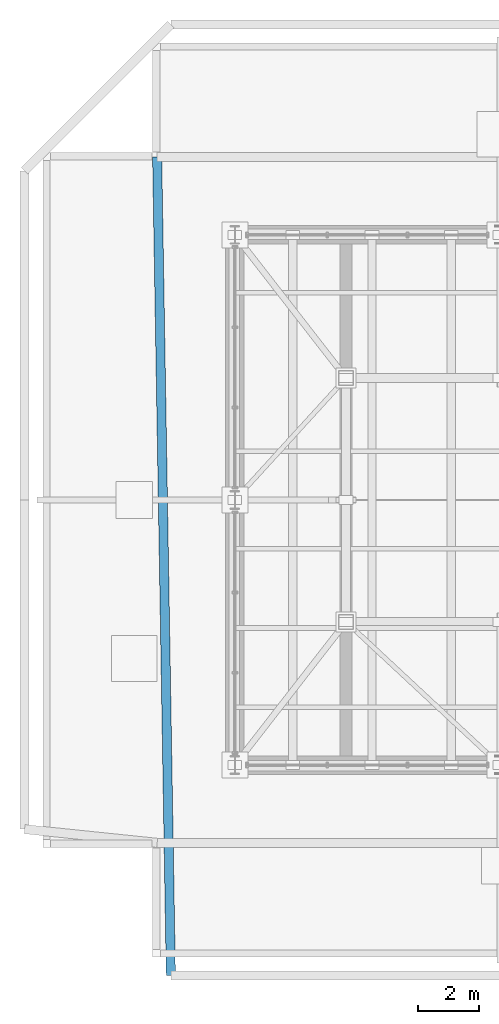
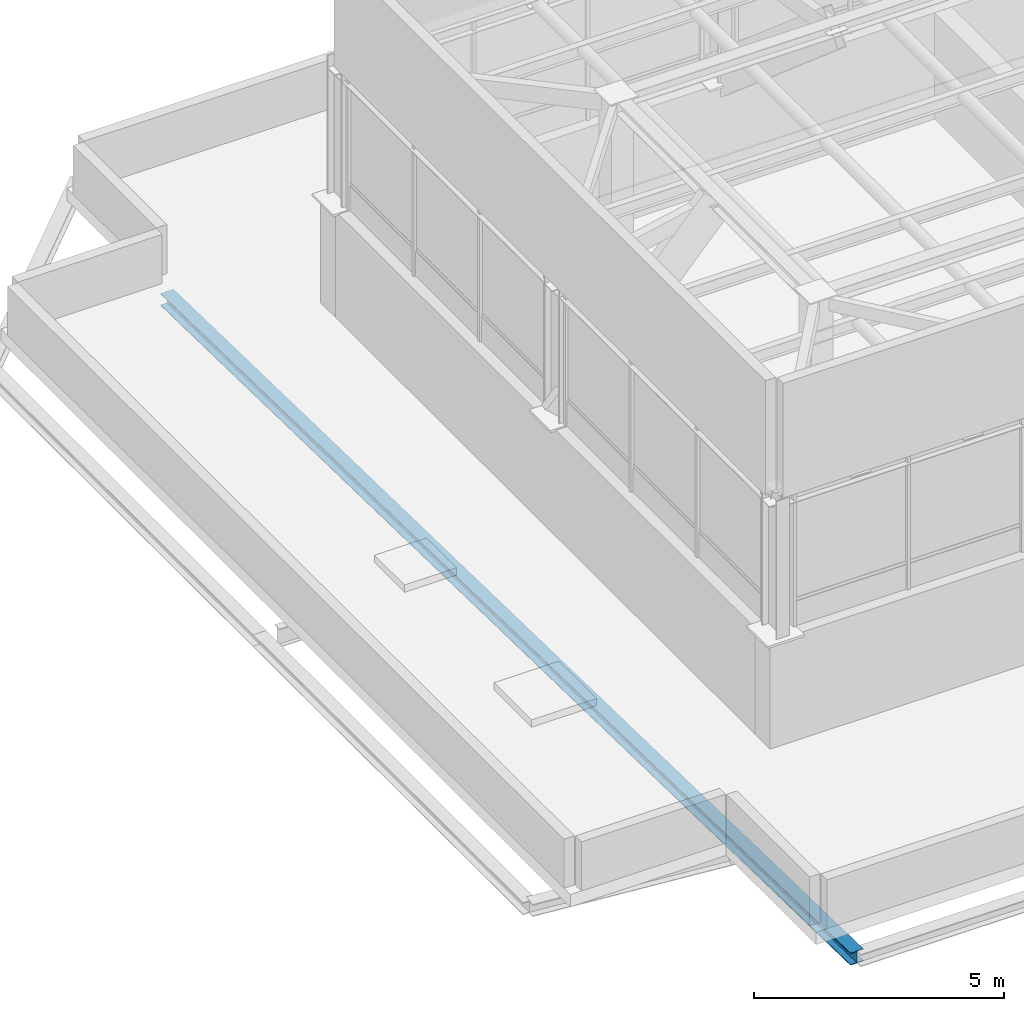
# One storey, part 6 of 22: 1 beam.
"""IFC4 building model written with IfcOpenShell, lengths in metres."""

from ifc_helpers import new_model, si_unit, direction, frame, origin, origin_2d, place, context, subcontext, project, spatial, i_section, extrude, material, material_profile, profile_set, type_object, element, save


model = new_model("IFC4")

# Units and contexts
model_context = context("Model", 3, precision=1e-05, world=origin(), true_north=direction((0.0, 1.0)))
body_context = subcontext(model_context, "Body", "Model", "MODEL_VIEW")
ifc_project = project(units=[si_unit("LENGTHUNIT", "METRE"), si_unit("AREAUNIT", "SQUARE_METRE"), si_unit("VOLUMEUNIT", "CUBIC_METRE"), si_unit("PLANEANGLEUNIT", "RADIAN"), si_unit("MASSUNIT", "GRAM", prefix="KILO")], contexts=[model_context])

# Site, building, storey
site_placement = place(None, origin())
site = spatial("IfcSite", under=ifc_project, at=site_placement, CompositionType="ELEMENT")
building_placement = place(site_placement, origin())
building = spatial("IfcBuilding", under=site, at=building_placement, Name="Belovzor Exchange Tower", CompositionType="ELEMENT")
storey_placement = place(building_placement, frame((0.0, 0.0, 378.60009765625)))
storey = spatial("IfcBuildingStorey", under=building, at=storey_placement, Name="RF", CompositionType="ELEMENT", Elevation=378.60009765625)

# Beam
ifc_material = material(Name="Steel S355", Category="steel")
ifc_material_profile = material_profile(ifc_material, i_section(OverallWidth=0.300048828125, OverallDepth=0.300048828125, WebThickness=0.010986328125, FlangeThickness=0.01904296875, at=origin_2d()))
ifc_profile_set = profile_set([ifc_material_profile], Name="Steel S355")
beam_type = type_object("IfcBeamType", Name="Crown Plant Primary Beam HEB 300", PredefinedType="BEAM", material=ifc_profile_set)
beam_placement = place(storey_placement, frame((17.550048828125, 40.050048828125, -0.4501953125), z_axis=(0.016755544494, -0.999859616011, 0.0), x_axis=(0.999859616011, 0.016755544494, 0.0)))
element("IfcBeam", 1, at=beam_placement, inside=storey, type_object=beam_type, Name="FG-CR Crown Plant Primary Beam HEB 300", PredefinedType="BEAM", context=body_context, shape_type="SweptSolid", body=[
    extrude(i_section(OverallWidth=0.300048828125, OverallDepth=0.300048828125, WebThickness=0.010986328125, FlangeThickness=0.01904296875, at=origin_2d()), origin(), (0.0, 0.0, 1.0), 26.853759765625),
])

save(model, "model.ifc")
